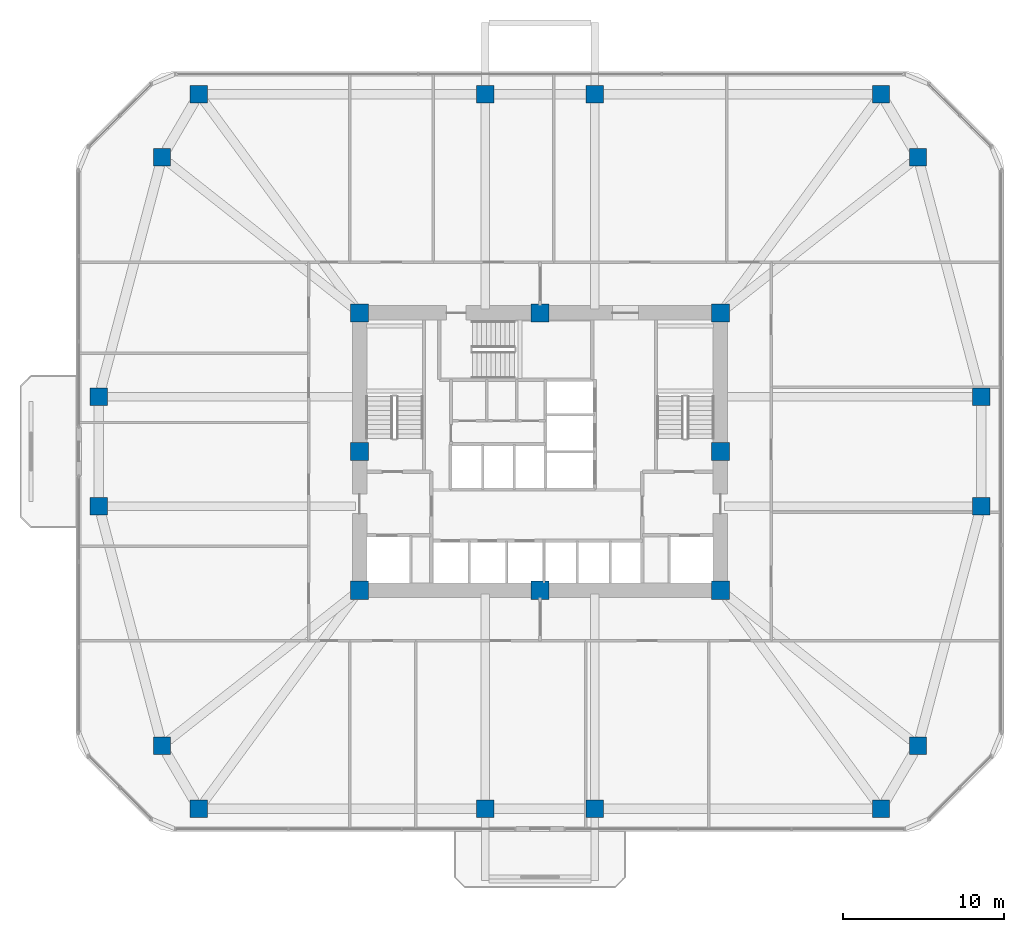
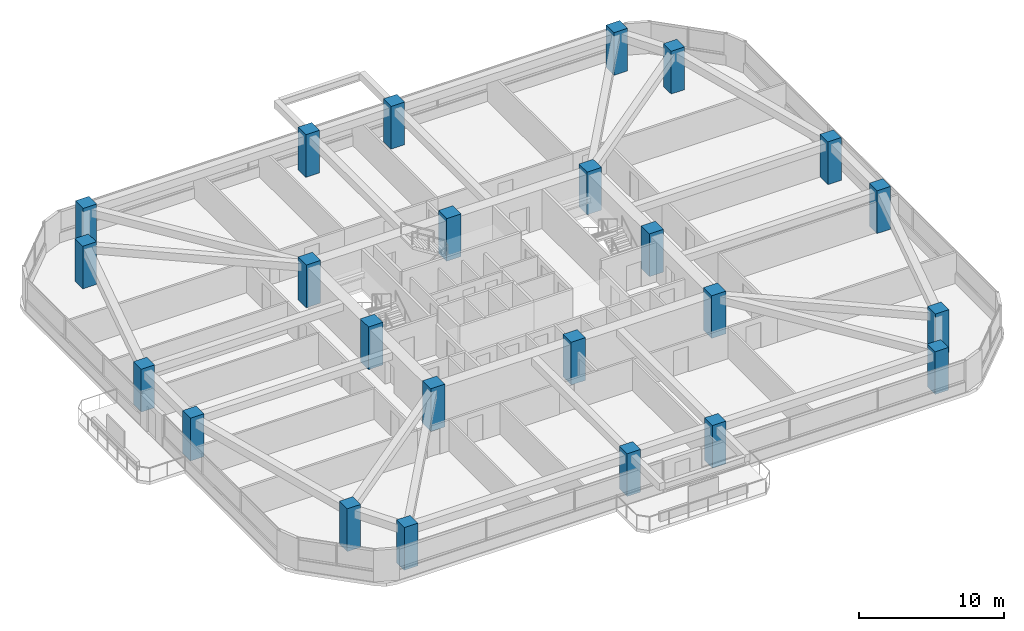
# One storey, part 1 of 13: 24 columns.
"""IFC4 building model written with IfcOpenShell, lengths in metres."""

from ifc_helpers import new_model, si_unit, derived_unit, direction, frame, origin, origin_2d, place, context, subcontext, project, spatial, rectangle, extrude, material, material_profile, profile_set, type_object, element, save


model = new_model("IFC4")

# Units and contexts
model_context = context("Model", 3, precision=1e-05, world=origin(), true_north=direction((0.0, 1.0)))
body_context = subcontext(model_context, "Body", "Model", "MODEL_VIEW")
ifc_project = project(units=[si_unit("LENGTHUNIT", "METRE"), si_unit("AREAUNIT", "SQUARE_METRE"), si_unit("VOLUMEUNIT", "CUBIC_METRE"), si_unit("PLANEANGLEUNIT", "RADIAN"), si_unit("MASSUNIT", "GRAM", prefix="KILO"), derived_unit("THERMALTRANSMITTANCEUNIT", [(si_unit("POWERUNIT", "WATT"), 1), (si_unit("LENGTHUNIT", "METRE"), -2), (si_unit("THERMODYNAMICTEMPERATUREUNIT", "KELVIN"), -1)])], contexts=[model_context])

# Site, building, storey
site_placement = place(None, origin())
site = spatial("IfcSite", under=ifc_project, at=site_placement, CompositionType="ELEMENT")
building_placement = place(site_placement, origin())
building = spatial("IfcBuilding", under=site, at=building_placement, Name="Koralith Skygarden Medical Center", CompositionType="ELEMENT")
storey_placement = place(building_placement, frame((0.0, 0.0, 49.139892578125)))
storey = spatial("IfcBuildingStorey", under=building, at=storey_placement, Name="L12", CompositionType="ELEMENT", Elevation=49.139892578125)

# Columns
ifc_material = material(Name="Concrete C70/85", Category="concrete")
ifc_material_profile_1 = material_profile(ifc_material, rectangle(XDim=1.139892578125, YDim=1.139892578125, at=origin_2d()), Name="RC1140X1140")
ifc_profile_set_1 = profile_set([ifc_material_profile_1], Name="Concrete C70/85")
column_type_1 = type_object("IfcColumnType", Name="Core Mega-Column C70 RC1140", PredefinedType="COLUMN", material=ifc_profile_set_1)
for number, where, z_axis, x_axis, name in (
    (1, (25.800048828125, 17.300048828125, 0.0), (0.0, 0.0, 1.0), (1.0, 0.0, 0.0), "L12 Core Column CC-01"),
    (2, (37.0, 17.300048828125, 0.0), (0.0, 0.0, 1.0), (1.0, 0.0, 0.0), "L12 Core Column CC-02"),
    (3, (48.199951171875, 17.300048828125, 0.0), (0.0, 0.0, 1.0), (1.0, 0.0, 0.0), "L12 Core Column CC-03"),
    (4, (48.199951171875, 25.89990234375, 0.0), (0.0, 0.0, 1.0), (1.0, 0.0, 0.0), "L12 Core Column CC-04"),
    (5, (48.199951171875, 34.5, 0.0), (0.0, 0.0, 1.0), (1.0, 0.0, 0.0), "L12 Core Column CC-05"),
    (6, (37.0, 34.5, 0.0), (0.0, 0.0, 1.0), (1.0, 0.0, 0.0), "L12 Core Column CC-06"),
    (7, (25.800048828125, 34.5, 0.0), (0.0, 0.0, 1.0), (1.0, 0.0, 0.0), "L12 Core Column CC-07"),
    (8, (25.800048828125, 25.89990234375, 0.0), (0.0, 0.0, 1.0), (1.0, 0.0, 0.0), "L12 Core Column CC-08"),
):
    element("IfcColumn", number, at=place(storey_placement, frame(where, z_axis=z_axis, x_axis=x_axis)), inside=storey, type_object=column_type_1, Name=name, PredefinedType="COLUMN", context=body_context, shape_type="SweptSolid", body=[
        extrude(rectangle(XDim=1.139892578125, YDim=1.139892578125, at=origin_2d()), origin(), (0.0, 0.0, 1.0), 3.60009765625),
    ])
ifc_material_profile_2 = material_profile(ifc_material, rectangle(XDim=1.080078125, YDim=1.080078125, at=origin_2d()), Name="RC1080X1080")
ifc_profile_set_2 = profile_set([ifc_material_profile_2], Name="Concrete C70/85")
column_type_2 = type_object("IfcColumnType", Name="Zone 1 Octagonal Mega-Column C70 RC1080", PredefinedType="COLUMN", material=ifc_profile_set_2)
for number, where, z_axis, x_axis, name in (
    (9, (9.6201171875, 22.5, 0.0), (0.0, 0.0, 1.0), (1.0, 0.0, 0.0), "L12 Perimeter Mega-Column MC-01"),
    (10, (13.5400390625, 7.639892578125, 0.0), (0.0, 0.0, 1.0), (1.0, 0.0, 0.0), "L12 Perimeter Mega-Column MC-02"),
    (11, (15.83203125, 3.719970703125, 0.0), (0.0, 0.0, 1.0), (1.0, 0.0, 0.0), "L12 Perimeter Mega-Column MC-03"),
    (12, (33.60009765625, 3.719970703125, 0.0), (0.0, 0.0, 1.0), (1.0, 0.0, 0.0), "L12 Perimeter Mega-Column MC-04"),
    (13, (40.39990234375, 3.719970703125, 0.0), (0.0, 0.0, 1.0), (1.0, 0.0, 0.0), "L12 Perimeter Mega-Column MC-05"),
    (14, (58.16796875, 3.719970703125, 0.0), (0.0, 0.0, 1.0), (1.0, 0.0, 0.0), "L12 Perimeter Mega-Column MC-06"),
    (15, (60.4599609375, 7.639892578125, 0.0), (0.0, 0.0, 1.0), (1.0, 0.0, 0.0), "L12 Perimeter Mega-Column MC-07"),
    (16, (64.3798828125, 22.5, 0.0), (0.0, 0.0, 1.0), (1.0, 0.0, 0.0), "L12 Perimeter Mega-Column MC-08"),
    (17, (64.3798828125, 29.300048828125, 0.0), (0.0, 0.0, 1.0), (1.0, 0.0, 0.0), "L12 Perimeter Mega-Column MC-09"),
    (18, (60.4599609375, 44.159912109375, 0.0), (0.0, 0.0, 1.0), (1.0, 0.0, 0.0), "L12 Perimeter Mega-Column MC-10"),
    (19, (58.16796875, 48.080078125, 0.0), (0.0, 0.0, 1.0), (1.0, 0.0, 0.0), "L12 Perimeter Mega-Column MC-11"),
    (20, (40.39990234375, 48.080078125, 0.0), (0.0, 0.0, 1.0), (1.0, 0.0, 0.0), "L12 Perimeter Mega-Column MC-12"),
    (21, (33.60009765625, 48.080078125, 0.0), (0.0, 0.0, 1.0), (1.0, 0.0, 0.0), "L12 Perimeter Mega-Column MC-13"),
    (22, (15.83203125, 48.080078125, 0.0), (0.0, 0.0, 1.0), (1.0, 0.0, 0.0), "L12 Perimeter Mega-Column MC-14"),
    (23, (13.5400390625, 44.159912109375, 0.0), (0.0, 0.0, 1.0), (1.0, 0.0, 0.0), "L12 Perimeter Mega-Column MC-15"),
    (24, (9.6201171875, 29.300048828125, 0.0), (0.0, 0.0, 1.0), (1.0, 0.0, 0.0), "L12 Perimeter Mega-Column MC-16"),
):
    element("IfcColumn", number, at=place(storey_placement, frame(where, z_axis=z_axis, x_axis=x_axis)), inside=storey, type_object=column_type_2, Name=name, PredefinedType="COLUMN", context=body_context, shape_type="SweptSolid", body=[
        extrude(rectangle(XDim=1.080078125, YDim=1.080078125, at=origin_2d()), origin(), (0.0, 0.0, 1.0), 3.60009765625),
    ])

save(model, "model.ifc")
